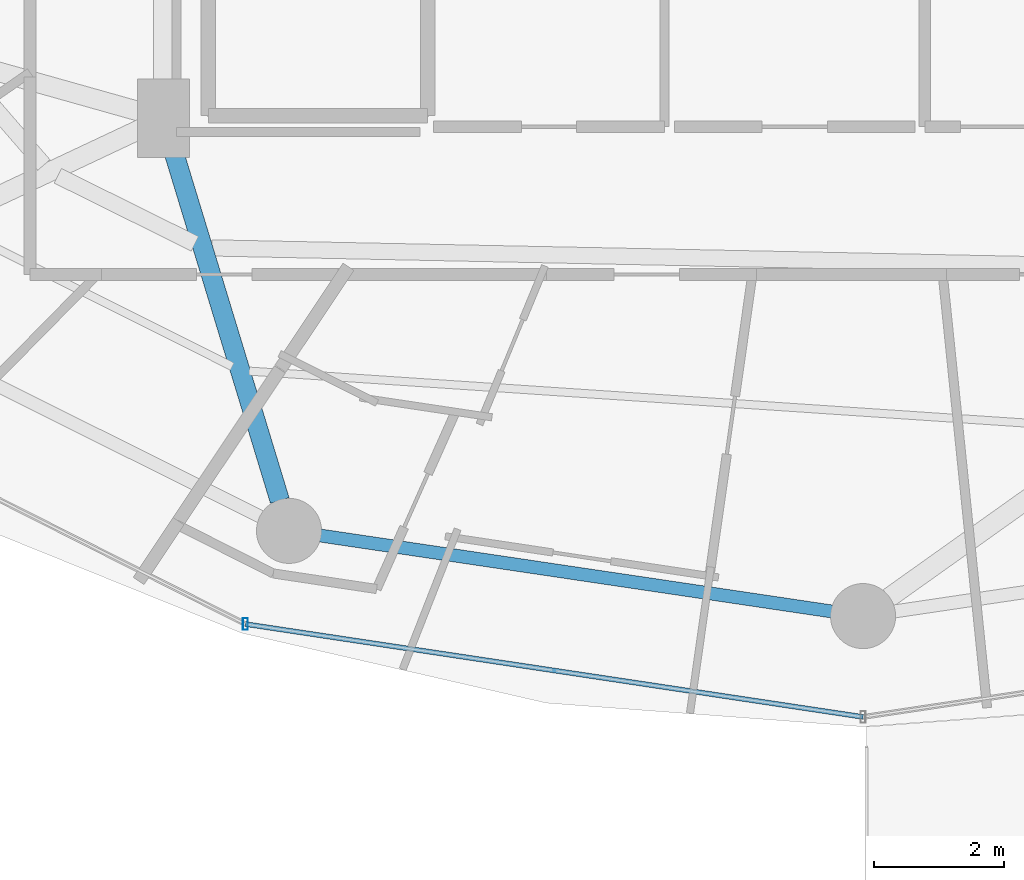
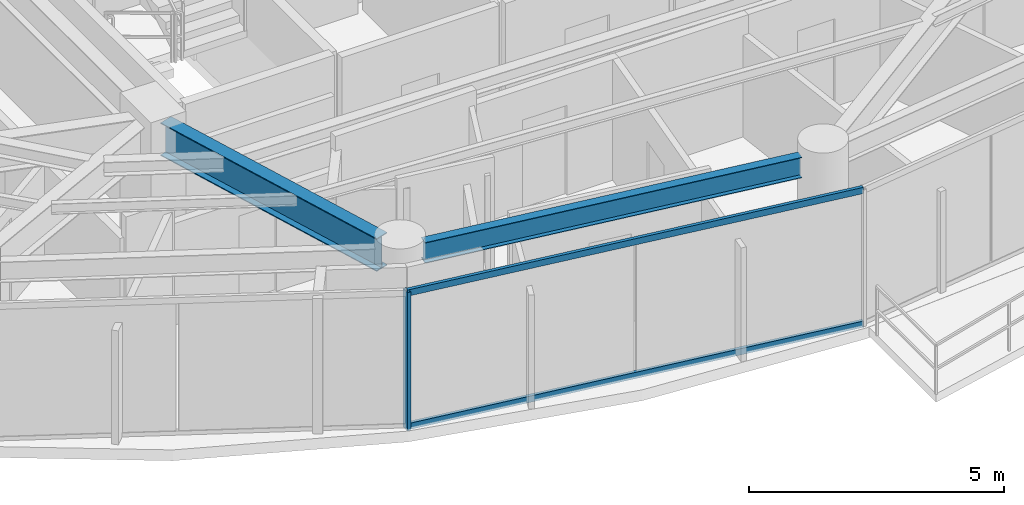
# One storey, part 5 of 30: 3 members, 2 beams, 1 element without a shape of its own.
"""IFC4 building model written with IfcOpenShell, lengths in metres."""

from ifc_helpers import new_model, si_unit, direction, frame, origin, origin_2d, place, context, subcontext, project, spatial, hollow_rectangle, i_section, extrude, material, material_profile, profile_set, type_object, element, aggregate, save


model = new_model("IFC4")

# Units and contexts
model_context = context("Model", 3, precision=1e-05, world=origin(), true_north=direction((0.0, 1.0)))
body_context = subcontext(model_context, "Body", "Model", "MODEL_VIEW")
ifc_project = project(units=[si_unit("LENGTHUNIT", "METRE"), si_unit("AREAUNIT", "SQUARE_METRE"), si_unit("VOLUMEUNIT", "CUBIC_METRE"), si_unit("PLANEANGLEUNIT", "RADIAN"), si_unit("MASSUNIT", "GRAM", prefix="KILO")], contexts=[model_context])

# Site, building, storey
site_placement = place(None, origin())
site = spatial("IfcSite", under=ifc_project, at=site_placement, CompositionType="ELEMENT")
building_placement = place(site_placement, origin())
building = spatial("IfcBuilding", under=site, at=building_placement, Name="Vorneva Point Tower", CompositionType="ELEMENT")
storey_placement = place(building_placement, frame((0.0, 0.0, 157.10009765625)))
storey = spatial("IfcBuildingStorey", under=building, at=storey_placement, Name="L42", CompositionType="ELEMENT", Elevation=157.10009765625)

# Beams
ifc_material_1 = material(Name="Steel S355", Category="steel")
ifc_material_profile_1 = material_profile(ifc_material_1, i_section(OverallWidth=0.300048828125, OverallDepth=0.7880859375, WebThickness=0.014404296875, FlangeThickness=0.02197265625, at=origin_2d()), Name="80Sh1")
ifc_profile_set_1 = profile_set([ifc_material_profile_1], Name="Steel S355")
beam_type_1 = type_object("IfcBeamType", Name="BM-GRD-80Sh1", PredefinedType="USERDEFINED", material=ifc_profile_set_1)
beam_1_placement = place(storey_placement, frame((29.037109375, 10.576171875, 2.845947265625), z_axis=(-0.291049382966, 0.95670803105, 0.0), x_axis=(-0.95670803105, -0.291049382966, 0.0)))
element("IfcBeam", 1, at=beam_1_placement, inside=storey, type_object=beam_type_1, Name="L42 Radial Primary Girder 12", ObjectType="GIRDER", PredefinedType="USERDEFINED", context=body_context, shape_type="SweptSolid", body=[
    extrude(i_section(OverallWidth=0.300048828125, OverallDepth=0.7880859375, WebThickness=0.014404296875, FlangeThickness=0.02197265625, at=origin_2d()), origin(), (0.0, 0.0, 1.0), 5.799560546875),
])
ifc_material_profile_2 = material_profile(ifc_material_1, i_section(OverallWidth=0.199951171875, OverallDepth=0.491943359375, WebThickness=0.0087890625, FlangeThickness=0.011962890625, at=origin_2d()), Name="50B1")
ifc_profile_set_2 = profile_set([ifc_material_profile_2], Name="Steel S355")
beam_type_2 = type_object("IfcBeamType", Name="BM-SPN-50B1", PredefinedType="SPANDREL", material=ifc_profile_set_2)
beam_2_placement = place(storey_placement, frame((29.65869140625, 10.0380859375, 2.993896484375), z_axis=(0.989161199046, -0.146833655211, 0.0), x_axis=(0.146833655211, 0.989161199046, 0.0)))
element("IfcBeam", 2, at=beam_2_placement, inside=storey, type_object=beam_type_2, Name="L42 Perimeter Spandrel Ring Beam 12", PredefinedType="SPANDREL", context=body_context, shape_type="SweptSolid", body=[
    extrude(i_section(OverallWidth=0.199951171875, OverallDepth=0.491943359375, WebThickness=0.0087890625, FlangeThickness=0.011962890625, at=origin_2d()), origin(), (0.0, 0.0, 1.0), 7.94775390625),
])

# Curtain wall, members
ifc_material_2 = material(Name="Pale anodised aluminium", Category="aluminium")
curtain_wall_type = type_object("IfcCurtainWallType", Name="CW-RES-SYS", PredefinedType="NOTDEFINED", material=ifc_material_2)
curtain_wall_placement = place(storey_placement, origin())
curtain_wall = element("IfcCurtainWall", 3, at=curtain_wall_placement, inside=storey, type_object=curtain_wall_type, Name="L42 Unitised Curtain Wall CW-L42-R04", PredefinedType="NOTDEFINED")
ifc_material_profile_3 = material_profile(ifc_material_2, hollow_rectangle(XDim=0.074951171875, YDim=0.179931640625, WallThickness=0.00390625, at=origin_2d()), Name="AL-MUL 180x75x4")
ifc_profile_set_3 = profile_set([ifc_material_profile_3], Name="Pale anodised aluminium")
member_type_1 = type_object("IfcMemberType", Name="CW-MUL-180", PredefinedType="MULLION", material=ifc_profile_set_3)
member_1_placement = place(storey_placement, frame((28.509521484375, 8.67724609375, -0.0400390625), z_axis=(0.0, 0.0, 1.0), x_axis=(1.0, 0.0, 0.0)))
member_1 = element("IfcMember", 4, at=member_1_placement, type_object=member_type_1, Name="CW-L42-R04 Mullion 02", PredefinedType="MULLION", context=body_context, shape_type="SweptSolid", body=[
    extrude(hollow_rectangle(XDim=0.074951171875, YDim=0.179931640625, WallThickness=0.00390625, at=origin_2d()), origin(), (0.0, 0.0, 1.0), 3.31005859375),
])
ifc_material_profile_4 = material_profile(ifc_material_2, hollow_rectangle(XDim=0.074951171875, YDim=0.14990234375, WallThickness=0.00390625, at=origin_2d()), Name="AL-TRN 150x75x4")
ifc_profile_set_4 = profile_set([ifc_material_profile_4], Name="Pale anodised aluminium")
member_type_2 = type_object("IfcMemberType", Name="CW-TRN-150", PredefinedType="USERDEFINED", material=ifc_profile_set_4)
member_2_placement = place(storey_placement, frame((28.509521484375, 8.67724609375, 0.02001953125), z_axis=(0.988880117727, -0.148714870687, 0.0), x_axis=(0.148714870687, 0.988880117727, 0.0)))
member_2 = element("IfcMember", 5, at=member_2_placement, type_object=member_type_2, Name="CW-L42-R04 Transom 02.1", ObjectType="TRANSOM", PredefinedType="USERDEFINED", context=body_context, shape_type="SweptSolid", body=[
    extrude(hollow_rectangle(XDim=0.074951171875, YDim=0.14990234375, WallThickness=0.00390625, at=origin_2d()), origin(), (0.0, 0.0, 1.0), 9.59716796875),
])
member_3_placement = place(storey_placement, frame((28.509521484375, 8.67724609375, 3.219970703125), z_axis=(0.988880117727, -0.148714870687, 0.0), x_axis=(0.148714870687, 0.988880117727, 0.0)))
member_3 = element("IfcMember", 6, at=member_3_placement, type_object=member_type_2, Name="CW-L42-R04 Transom 02.2", ObjectType="TRANSOM", PredefinedType="USERDEFINED", context=body_context, shape_type="SweptSolid", body=[
    extrude(hollow_rectangle(XDim=0.074951171875, YDim=0.14990234375, WallThickness=0.00390625, at=origin_2d()), origin(), (0.0, 0.0, 1.0), 9.59716796875),
])
aggregate(curtain_wall, [member_1, member_2, member_3])

save(model, "model.ifc")
